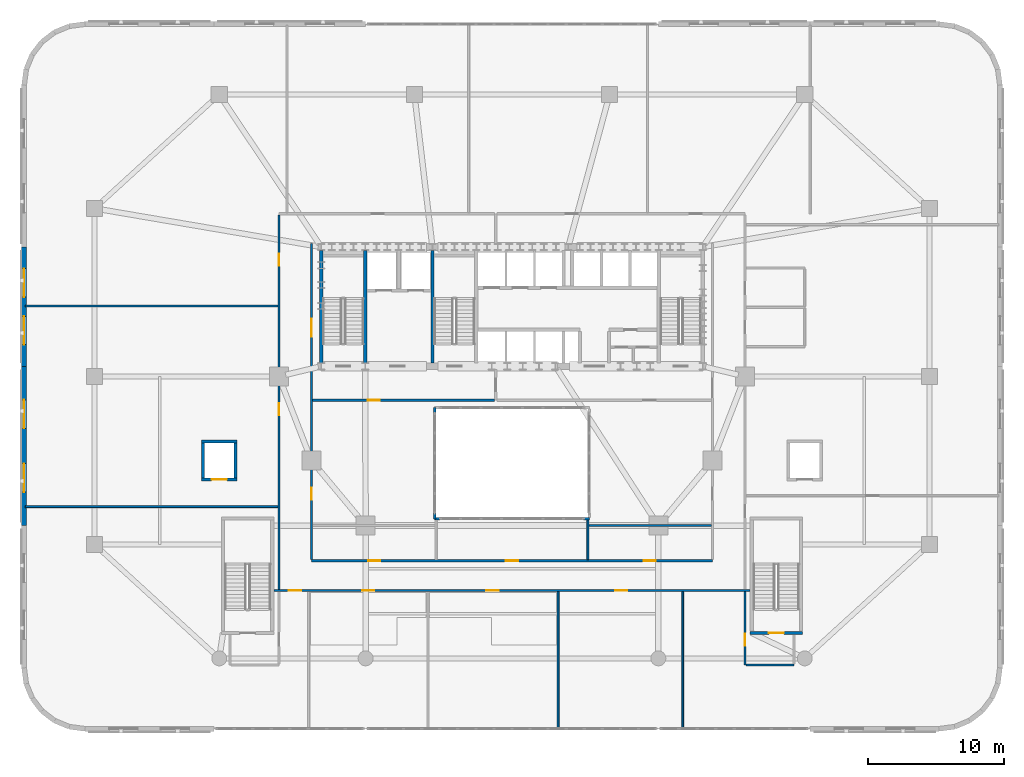
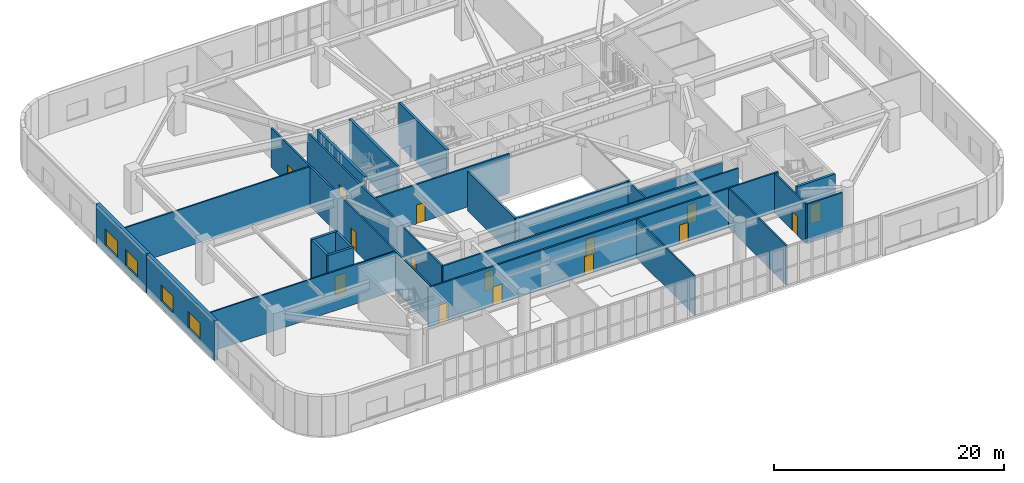
# One storey, part 14 of 25: 25 walls, 15 doors, 4 windows, 19 openings.
"""IFC4 building model written with IfcOpenShell, lengths in metres."""

import ifcopenshell
import ifcopenshell.guid

model = None  # the IFC model being written
_history = None  # IfcOwnerHistory: only IFC2X3 demands one
_inside = {}  # id of a spatial element -> (the spatial element, [elements in it])
_under = {}  # id of a project, library or spatial element -> (it, [spatial elements below it])
_declared = {}  # id of a project -> (the project, [libraries it declares])
_typed = {}  # id of a type object -> (the type object, [elements of that type])
_made_of = {}  # id of a material, layer set ... -> (it, [elements and type objects made of it])


def new_model(schema):
    """Start an empty IFC model of exactly this schema.

    Asked for "IFC4X3", IfcOpenShell would pick the latest addendum, in which some entities
    have other attributes; the version numbers below select the first issue.
    IFC2X3 requires an IfcOwnerHistory on every rooted entity: one is made here for all.
    """
    global model, _history
    if schema == "IFC4X3":
        model = ifcopenshell.file(schema_version=(4, 3, 0, 0))
    else:
        model = ifcopenshell.file(schema=schema)
    _inside.clear()
    _under.clear()
    _declared.clear()
    _typed.clear()
    _made_of.clear()
    _history = None
    if model.schema == "IFC2X3":
        org = make("IfcOrganization", Name="unknown")
        user = make(
            "IfcPersonAndOrganization",
            ThePerson=make("IfcPerson", FamilyName="unknown"),
            TheOrganization=org,
        )
        app = make(
            "IfcApplication",
            ApplicationDeveloper=org,
            Version="unknown",
            ApplicationFullName="unknown",
            ApplicationIdentifier="unknown",
        )
        _history = make(
            "IfcOwnerHistory",
            OwningUser=user,
            OwningApplication=app,
            ChangeAction="ADDED",
            CreationDate=0,
        )
    return model


def make(cls, **values):
    """One entity of the class cls with the attributes given. An attribute that is None is left unset."""
    return model.create_entity(
        cls, **{name: value for name, value in values.items() if value is not None}
    )


def rooted(cls, **values):
    """An entity with a GlobalId (a new one), such as an element, a storey or a relation."""
    return make(cls, GlobalId=ifcopenshell.guid.new(), OwnerHistory=_history, **values)


def si_unit(unit_type, name, prefix=None):
    """IfcSIUnit, for example si_unit("LENGTHUNIT", "METRE", prefix="MILLI")."""
    return make("IfcSIUnit", UnitType=unit_type, Prefix=prefix, Name=name)


def assignment(units):
    """IfcUnitAssignment: the units of a project."""
    return None if units is None else make("IfcUnitAssignment", Units=units)


def point(xyz):
    """IfcCartesianPoint."""
    return None if xyz is None else make("IfcCartesianPoint", Coordinates=xyz)


def direction(xyz):
    """IfcDirection."""
    return None if xyz is None else make("IfcDirection", DirectionRatios=xyz)


def frame(location, z_axis=None, x_axis=None):
    """IfcAxis2Placement3D, a coordinate frame: its origin and axes. An axis left out is left unset."""
    return make(
        "IfcAxis2Placement3D",
        Location=point(location),
        Axis=direction(z_axis),
        RefDirection=direction(x_axis),
    )


def frame_2d(location, x_axis=None):
    """IfcAxis2Placement2D, a coordinate frame in the plane: its origin and x axis."""
    return make(
        "IfcAxis2Placement2D", Location=point(location), RefDirection=direction(x_axis)
    )


def origin():
    """The frame at (0, 0, 0) with its axes left unset."""
    return frame((0.0, 0.0, 0.0))


def place(relative_to, where):
    """IfcLocalPlacement: puts the frame where relative to a parent placement (None: the world)."""
    return make(
        "IfcLocalPlacement", PlacementRelTo=relative_to, RelativePlacement=where
    )


def context(
    kind, dimensions, precision=None, world=None, true_north=None, identifier=None
):
    """IfcGeometricRepresentationContext, for example the 3D "Model" context."""
    return make(
        "IfcGeometricRepresentationContext",
        ContextIdentifier=identifier,
        ContextType=kind,
        CoordinateSpaceDimension=dimensions,
        Precision=precision,
        WorldCoordinateSystem=world,
        TrueNorth=true_north,
    )


def subcontext(parent, identifier, kind, view, scale=None):
    """IfcGeometricRepresentationSubContext, for example "Body" below "Model"."""
    return make(
        "IfcGeometricRepresentationSubContext",
        ContextIdentifier=identifier,
        ContextType=kind,
        ParentContext=parent,
        TargetScale=scale,
        TargetView=view,
    )


def project(units=None, contexts=None):
    """IfcProject with its units and contexts."""
    return rooted(
        "IfcProject",
        Name="project",
        RepresentationContexts=contexts,
        UnitsInContext=assignment(units),
    )


def spatial(cls, under=None, at=None, **own):
    """A site, building, storey or space (cls), placed at a placement, below another one or the project."""
    s = rooted(cls, ObjectPlacement=at, **own)
    if under is not None:
        _under.setdefault(under.id(), (under, []))[1].append(s)
    return s


def profile(cls, at=None, kind="AREA", **sizes):
    """A parametric profile (cls). Its sizes go by their IFC names, for example OverallWidth=200.0."""
    return make(cls, ProfileType=kind, Position=at, **sizes)


def rectangle(**sizes):
    """IfcRectangleProfileDef."""
    return profile("IfcRectangleProfileDef", **sizes)


def extrude(swept, where, along, depth):
    """IfcExtrudedAreaSolid: the profile swept, set in the frame where, extruded along a direction by depth."""
    return make(
        "IfcExtrudedAreaSolid",
        SweptArea=swept,
        Position=where,
        ExtrudedDirection=direction(along),
        Depth=depth,
    )


def shape(context_of_items, identifier, shape_type, items):
    """IfcShapeRepresentation: the items that make up one representation, for example the "Body"."""
    return make(
        "IfcShapeRepresentation",
        ContextOfItems=context_of_items,
        RepresentationIdentifier=identifier,
        RepresentationType=shape_type,
        Items=items,
    )


def material(Name=None, Category=None):
    """IfcMaterial."""
    return make("IfcMaterial", Name=Name, Category=Category)


def layer(
    of_material, thickness, ventilated=None, Name=None, Category=None, Priority=None
):
    """IfcMaterialLayer: one layer of a wall or slab, of a material (None: an air gap)."""
    return make(
        "IfcMaterialLayer",
        Material=of_material,
        LayerThickness=thickness,
        IsVentilated=ventilated,
        Name=Name,
        Category=Category,
        Priority=Priority,
    )


def layer_set(layers, Name=None):
    """IfcMaterialLayerSet."""
    return make("IfcMaterialLayerSet", MaterialLayers=layers, LayerSetName=Name)


def made_of(thing, what):
    """Note that an element or type object is made of a material, layer set ...; save() writes the relation."""
    if what is not None:
        _made_of.setdefault(what.id(), (what, []))[1].append(thing)
    return thing


def type_object(cls, material=None, **own):
    """A type object (cls), such as IfcWallType, which elements share."""
    return made_of(rooted(cls, **own), material)


def element(
    cls,
    number,
    at=None,
    inside=None,
    cuts=None,
    type_object=None,
    material=None,
    context=None,
    identifier="Body",
    shape_type=None,
    held_by="IfcProductDefinitionShape",
    body=None,
    shapes=None,
    **own,
):
    """One element of the class cls, such as IfcWall. Its Tag is "e" and its number.

    at: its placement. inside: the storey or other place that contains it. cuts: it is an
    opening in that element (IfcRelVoidsElement). A single representation is given by context,
    identifier, shape_type and body (its items); several are given by shapes. held_by: the class
    of the entity that holds the representations. save() writes the other relations.
    """
    e = rooted(cls, Tag="e%d" % number, ObjectPlacement=at, **own)
    if body is not None:
        shapes = [shape(context, identifier, shape_type, body)]
    if shapes is not None:
        e.Representation = make(held_by, Representations=shapes)
    if inside is not None:
        _inside.setdefault(inside.id(), (inside, []))[1].append(e)
    if cuts is not None:
        rooted(
            "IfcRelVoidsElement", RelatingBuildingElement=cuts, RelatedOpeningElement=e
        )
    if type_object is not None:
        _typed.setdefault(type_object.id(), (type_object, []))[1].append(e)
    return made_of(e, material)


def fill(opening, filler):
    """IfcRelFillsElement: the door or window that sits in an opening."""
    return rooted(
        "IfcRelFillsElement",
        RelatingOpeningElement=opening,
        RelatedBuildingElement=filler,
    )


def aggregate(whole, parts):
    """IfcRelAggregates: a whole, such as a stair, and the parts it consists of."""
    return rooted("IfcRelAggregates", RelatingObject=whole, RelatedObjects=parts)


def save(model, path):
    """Write the relations noted so far, then the file.

    IfcRelAggregates (storeys below a building ...), IfcRelContainedInSpatialStructure (elements
    in a storey), IfcRelDefinesByType, IfcRelAssociatesMaterial and IfcRelDeclares: one each for
    every whole, place, type object, material and project.
    """
    for whole, parts in _under.values():
        aggregate(whole, parts)
    for where, things in _inside.values():
        rooted(
            "IfcRelContainedInSpatialStructure",
            RelatedElements=things,
            RelatingStructure=where,
        )
    for kind, things in _typed.values():
        rooted("IfcRelDefinesByType", RelatedObjects=things, RelatingType=kind)
    for what, things in _made_of.values():
        rooted("IfcRelAssociatesMaterial", RelatedObjects=things, RelatingMaterial=what)
    for by, libraries in _declared.values():
        rooted("IfcRelDeclares", RelatingContext=by, RelatedDefinitions=libraries)
    model.write(path)


model = new_model("IFC4")

# Units and contexts
model_context = context("Model", 3, precision=1e-05, world=origin(), true_north=direction((0.0, 1.0)))
body_context = subcontext(model_context, "Body", "Model", "MODEL_VIEW")
ifc_project = project(units=[si_unit("LENGTHUNIT", "METRE"), si_unit("AREAUNIT", "SQUARE_METRE"), si_unit("VOLUMEUNIT", "CUBIC_METRE"), si_unit("PLANEANGLEUNIT", "RADIAN"), si_unit("MASSUNIT", "GRAM", prefix="KILO")], contexts=[model_context])

# Site, building, storey
site_placement = place(None, origin())
site = spatial("IfcSite", under=ifc_project, at=site_placement, CompositionType="ELEMENT")
building_placement = place(site_placement, origin())
building = spatial("IfcBuilding", under=site, at=building_placement, Name="Haldorwick Loom Tower", CompositionType="ELEMENT")
storey_placement = place(building_placement, frame((0.0, 0.0, 15.0)))
storey = spatial("IfcBuildingStorey", under=building, at=storey_placement, Name="L03", CompositionType="ELEMENT", Elevation=15.0)

# Wall, openings, windows
ifc_material_1 = material(Name="Pressed Clay Face Brick and Insulated Masonry Backup Assembly", Category="masonry")
ifc_layer_1 = layer(ifc_material_1, 0.360107421875, Name="Pressed Clay Face Brick and Insulated Masonry Backup Assembly", Category="masonry")
ifc_layer_set_1 = layer_set([ifc_layer_1], Name="Pressed Clay Face Brick and Insulated Masonry Backup Assembly")
wall_type_1 = type_object("IfcWallType", Name="ARC-WL-EXT360", PredefinedType="STANDARD", material=ifc_layer_set_1)
wall_1_placement = place(storey_placement, frame((0.0, 35.550048828125, 0.0), z_axis=(0.0, 0.0, 1.0), x_axis=(0.0, -1.0, 0.0)))
wall_1 = element("IfcWall", 1, at=wall_1_placement, inside=storey, type_object=wall_type_1, Name="L03 Brick Pier and Spandrel Wall 29", PredefinedType="STANDARD", context=body_context, shape_type="SweptSolid", body=[
    extrude(rectangle(XDim=8.800048828125, YDim=0.360107421875, at=frame_2d((4.39990234375, 0.0))), origin(), (0.0, 0.0, 1.0), 4.199951171875),
])
opening_1_placement = place(wall_1_placement, frame((1.590087890625, 0.0, 0.75)))
opening_1 = element("IfcOpeningElement", 2, at=opening_1_placement, cuts=wall_1, Name="Opening W-04", PredefinedType="OPENING", context=body_context, shape_type="SweptSolid", body=[
    extrude(rectangle(XDim=2.10009765625, YDim=1.719970703125, at=frame_2d((1.050048828125, 0.85986328125))), frame((0.0, 0.18994140625, 0.0), z_axis=(0.0, -1.0, 0.0), x_axis=(1.0, 0.0, 0.0)), (0.0, 0.0, 1.0), 0.380126953125),
])
opening_2_placement = place(wall_1_placement, frame((5.110107421875, 0.0, 0.75)))
opening_2 = element("IfcOpeningElement", 3, at=opening_2_placement, cuts=wall_1, Name="Opening W-04", PredefinedType="OPENING", context=body_context, shape_type="SweptSolid", body=[
    extrude(rectangle(XDim=2.10009765625, YDim=1.719970703125, at=frame_2d((1.050048828125, 0.85986328125))), frame((0.0, 0.18994140625, 0.0), z_axis=(0.0, -1.0, 0.0), x_axis=(1.0, 0.0, 0.0)), (0.0, 0.0, 1.0), 0.380126953125),
])
ifc_material_2 = material(Name="Triple-Glazed Low-E Argon Insulated Glazing Unit", Category="glass")
window_type = type_object("IfcWindowType", Name="ARC-WIN-W210", PartitioningType="SINGLE_PANEL", PredefinedType="WINDOW", material=ifc_material_2)
window_1_placement = place(opening_1_placement, origin())
window_1 = element("IfcWindow", 4, at=window_1_placement, inside=storey, type_object=window_type, Name="L03 Deep-Set Zone 7A Window 29", OverallHeight=1.719970703125, OverallWidth=2.10009765625, PartitioningType="SINGLE_PANEL", PredefinedType="WINDOW", context=body_context, shape_type="SweptSolid", body=[
    extrude(rectangle(XDim=2.10009765625, YDim=1.719970703125, at=frame_2d((1.050048828125, 0.85986328125))), frame((0.0, 0.030029296875, 0.0), z_axis=(0.0, -1.0, 0.0), x_axis=(1.0, 0.0, 0.0)), (0.0, 0.0, 1.0), 0.06005859375),
])
fill(opening_1, window_1)
window_2_placement = place(opening_2_placement, origin())
window_2 = element("IfcWindow", 5, at=window_2_placement, inside=storey, type_object=window_type, Name="L03 Deep-Set Zone 7A Window 29", OverallHeight=1.719970703125, OverallWidth=2.10009765625, PartitioningType="SINGLE_PANEL", PredefinedType="WINDOW", context=body_context, shape_type="SweptSolid", body=[
    extrude(rectangle(XDim=2.10009765625, YDim=1.719970703125, at=frame_2d((1.050048828125, 0.85986328125))), frame((0.0, 0.030029296875, 0.0), z_axis=(0.0, -1.0, 0.0), x_axis=(1.0, 0.0, 0.0)), (0.0, 0.0, 1.0), 0.06005859375),
])
fill(opening_2, window_2)

wall_2_placement = place(storey_placement, frame((0.0, 26.75, 0.0), z_axis=(0.0, 0.0, 1.0), x_axis=(0.0, -1.0, 0.0)))
wall_2 = element("IfcWall", 6, at=wall_2_placement, inside=storey, type_object=wall_type_1, Name="L03 Brick Pier and Spandrel Wall 30", PredefinedType="STANDARD", context=body_context, shape_type="SweptSolid", body=[
    extrude(rectangle(XDim=11.75, YDim=0.360107421875, at=frame_2d((5.875, 0.0))), origin(), (0.0, 0.0, 1.0), 4.199951171875),
])
opening_3_placement = place(wall_2_placement, frame((2.47509765625, 0.0, 0.75)))
opening_3 = element("IfcOpeningElement", 7, at=opening_3_placement, cuts=wall_2, Name="Opening W-04", PredefinedType="OPENING", context=body_context, shape_type="SweptSolid", body=[
    extrude(rectangle(XDim=2.10009765625, YDim=1.719970703125, at=frame_2d((1.050048828125, 0.85986328125))), frame((0.0, 0.18994140625, 0.0), z_axis=(0.0, -1.0, 0.0), x_axis=(1.0, 0.0, 0.0)), (0.0, 0.0, 1.0), 0.380126953125),
])
opening_4_placement = place(wall_2_placement, frame((7.175048828125, 0.0, 0.75)))
opening_4 = element("IfcOpeningElement", 8, at=opening_4_placement, cuts=wall_2, Name="Opening W-04", PredefinedType="OPENING", context=body_context, shape_type="SweptSolid", body=[
    extrude(rectangle(XDim=2.10009765625, YDim=1.719970703125, at=frame_2d((1.050048828125, 0.85986328125))), frame((0.0, 0.18994140625, 0.0), z_axis=(0.0, -1.0, 0.0), x_axis=(1.0, 0.0, 0.0)), (0.0, 0.0, 1.0), 0.380126953125),
])
window_3_placement = place(opening_3_placement, origin())
window_3 = element("IfcWindow", 9, at=window_3_placement, inside=storey, type_object=window_type, Name="L03 Deep-Set Zone 7A Window 30", OverallHeight=1.719970703125, OverallWidth=2.10009765625, PartitioningType="SINGLE_PANEL", PredefinedType="WINDOW", context=body_context, shape_type="SweptSolid", body=[
    extrude(rectangle(XDim=2.10009765625, YDim=1.719970703125, at=frame_2d((1.050048828125, 0.85986328125))), frame((0.0, 0.030029296875, 0.0), z_axis=(0.0, -1.0, 0.0), x_axis=(1.0, 0.0, 0.0)), (0.0, 0.0, 1.0), 0.06005859375),
])
fill(opening_3, window_3)
window_4_placement = place(opening_4_placement, origin())
window_4 = element("IfcWindow", 10, at=window_4_placement, inside=storey, type_object=window_type, Name="L03 Deep-Set Zone 7A Window 30", OverallHeight=1.719970703125, OverallWidth=2.10009765625, PartitioningType="SINGLE_PANEL", PredefinedType="WINDOW", context=body_context, shape_type="SweptSolid", body=[
    extrude(rectangle(XDim=2.10009765625, YDim=1.719970703125, at=frame_2d((1.050048828125, 0.85986328125))), frame((0.0, 0.030029296875, 0.0), z_axis=(0.0, -1.0, 0.0), x_axis=(1.0, 0.0, 0.0)), (0.0, 0.0, 1.0), 0.06005859375),
])
fill(opening_4, window_4)

# Wall, openings, doors
ifc_material_3 = material(Name="Fire-Rated Type X Gypsum Stud Assembly EI 60")
ifc_layer_2 = layer(ifc_material_3, 0.159912109375, Name="Fire-Rated Type X Gypsum Stud Assembly EI 60")
ifc_layer_set_2 = layer_set([ifc_layer_2], Name="Fire-Rated Type X Gypsum Stud Assembly EI 60")
wall_type_2 = type_object("IfcWallType", Name="ARC-WL-FIRE160", PredefinedType="PARTITIONING", material=ifc_layer_set_2)
wall_3_placement = place(storey_placement, frame((18.443115234375, 10.199951171875, 0.0), z_axis=(0.0, 0.0, 1.0), x_axis=(1.0, 0.0, 0.0)))
wall_3 = element("IfcWall", 11, at=wall_3_placement, inside=storey, type_object=wall_type_2, Name="L03 Podium Partition L03-CS0", PredefinedType="PARTITIONING", context=body_context, shape_type="SweptSolid", body=[
    extrude(rectangle(XDim=35.11376953125, YDim=0.159912109375, at=frame_2d((17.556884765625, 0.0))), origin(), (0.0, 0.0, 1.0), 4.18505859375),
])
opening_5_placement = place(wall_3_placement, frame((15.67138671875, 0.0, 0.0)))
opening_5 = element("IfcOpeningElement", 12, at=opening_5_placement, cuts=wall_3, Name="Opening D-FD60A", PredefinedType="OPENING", context=body_context, shape_type="SweptSolid", body=[
    extrude(rectangle(XDim=0.89990234375, YDim=2.0, at=frame_2d((0.449951171875, 1.0))), frame((0.0, 0.08984375, 0.0), z_axis=(0.0, -1.0, 0.0), x_axis=(1.0, 0.0, 0.0)), (0.0, 0.0, 1.0), 0.179931640625),
])
opening_6_placement = place(wall_3_placement, frame((25.167724609375, 0.0, 0.0)))
opening_6 = element("IfcOpeningElement", 13, at=opening_6_placement, cuts=wall_3, Name="Opening D-FD60A", PredefinedType="OPENING", context=body_context, shape_type="SweptSolid", body=[
    extrude(rectangle(XDim=0.89990234375, YDim=2.0, at=frame_2d((0.449951171875, 1.0))), frame((0.0, 0.08984375, 0.0), z_axis=(0.0, -1.0, 0.0), x_axis=(1.0, 0.0, 0.0)), (0.0, 0.0, 1.0), 0.179931640625),
])
opening_7_placement = place(wall_3_placement, frame((6.506591796875, 0.0, 0.0)))
opening_7 = element("IfcOpeningElement", 14, at=opening_7_placement, cuts=wall_3, Name="Opening D-FD60A", PredefinedType="OPENING", context=body_context, shape_type="SweptSolid", body=[
    extrude(rectangle(XDim=0.89990234375, YDim=2.0, at=frame_2d((0.449951171875, 1.0))), frame((0.0, 0.08984375, 0.0), z_axis=(0.0, -1.0, 0.0), x_axis=(1.0, 0.0, 0.0)), (0.0, 0.0, 1.0), 0.179931640625),
])
opening_8_placement = place(wall_3_placement, frame((1.095947265625, 0.0, 0.0)))
opening_8 = element("IfcOpeningElement", 15, at=opening_8_placement, cuts=wall_3, Name="Opening D-FD60A", PredefinedType="OPENING", context=body_context, shape_type="SweptSolid", body=[
    extrude(rectangle(XDim=0.89990234375, YDim=2.0, at=frame_2d((0.449951171875, 1.0))), frame((0.0, 0.08984375, 0.0), z_axis=(0.0, -1.0, 0.0), x_axis=(1.0, 0.0, 0.0)), (0.0, 0.0, 1.0), 0.179931640625),
])
ifc_material_4 = material(Name="Hollow Steel Fire Door Assembly", Category="steel")
door_type_1 = type_object("IfcDoorType", Name="ARC-DR-FD60-90", OperationType="NOTDEFINED", PredefinedType="DOOR", material=ifc_material_4)
door_1_placement = place(opening_5_placement, origin())
door_1 = element("IfcDoor", 16, at=door_1_placement, inside=storey, type_object=door_type_1, Name="L03 L03 South Clinic Corridor to Physiotherapy Rehabilitation Hall 2 Doo", OperationType="SINGLE_SWING_LEFT", OverallHeight=2.0, OverallWidth=0.89990234375, PredefinedType="DOOR", context=body_context, shape_type="SweptSolid", body=[
    extrude(rectangle(XDim=0.89990234375, YDim=2.0, at=frame_2d((0.449951171875, 1.0))), frame((0.0, 0.02490234375, 0.0), z_axis=(0.0, -1.0, 0.0), x_axis=(1.0, 0.0, 0.0)), (0.0, 0.0, 1.0), 0.050048828125),
])
fill(opening_5, door_1)
door_2_placement = place(opening_6_placement, origin())
door_2 = element("IfcDoor", 17, at=door_2_placement, inside=storey, type_object=door_type_1, Name="L03 L03 South Clinic Corridor to Maternal Health Office 3 Door", OperationType="SINGLE_SWING_RIGHT", OverallHeight=2.0, OverallWidth=0.89990234375, PredefinedType="DOOR", context=body_context, shape_type="SweptSolid", body=[
    extrude(rectangle(XDim=0.89990234375, YDim=2.0, at=frame_2d((0.449951171875, 1.0))), frame((0.0, 0.02490234375, 0.0), z_axis=(0.0, -1.0, 0.0), x_axis=(1.0, 0.0, 0.0)), (0.0, 0.0, 1.0), 0.050048828125),
])
fill(opening_6, door_2)
door_3_placement = place(opening_7_placement, origin())
door_3 = element("IfcDoor", 18, at=door_3_placement, inside=storey, type_object=door_type_1, Name="L03 L03 South Clinic Corridor to Dental Treatment Suite 1 Door", OperationType="SINGLE_SWING_LEFT", OverallHeight=2.0, OverallWidth=0.89990234375, PredefinedType="DOOR", context=body_context, shape_type="SweptSolid", body=[
    extrude(rectangle(XDim=0.89990234375, YDim=2.0, at=frame_2d((0.449951171875, 1.0))), frame((0.0, 0.02490234375, 0.0), z_axis=(0.0, -1.0, 0.0), x_axis=(1.0, 0.0, 0.0)), (0.0, 0.0, 1.0), 0.050048828125),
])
fill(opening_7, door_3)
door_4_placement = place(opening_8_placement, origin())
door_4 = element("IfcDoor", 19, at=door_4_placement, inside=storey, type_object=door_type_1, Name="L03 L03 South Clinic Corridor to Outpatient Waiting Hall 6 Door", OperationType="SINGLE_SWING_LEFT", OverallHeight=2.0, OverallWidth=0.89990234375, PredefinedType="DOOR", context=body_context, shape_type="SweptSolid", body=[
    extrude(rectangle(XDim=0.89990234375, YDim=2.0, at=frame_2d((0.449951171875, 1.0))), frame((0.0, 0.02490234375, 0.0), z_axis=(0.0, -1.0, 0.0), x_axis=(1.0, 0.0, 0.0)), (0.0, 0.0, 1.0), 0.050048828125),
])
fill(opening_8, door_4)

wall_4_placement = place(storey_placement, frame((21.199951171875, 12.39990234375, 0.0), z_axis=(0.0, 0.0, 1.0), x_axis=(1.0, 0.0, 0.0)))
wall_4 = element("IfcWall", 20, at=wall_4_placement, inside=storey, type_object=wall_type_2, Name="L03 Podium Partition L03-CS1", PredefinedType="PARTITIONING", context=body_context, shape_type="SweptSolid", body=[
    extrude(rectangle(XDim=29.60009765625, YDim=0.159912109375, at=frame_2d((14.800048828125, 0.0))), origin(), (0.0, 0.0, 1.0), 4.18505859375),
])
opening_9_placement = place(wall_4_placement, frame((14.35009765625, 0.0, 0.0)))
opening_9 = element("IfcOpeningElement", 21, at=opening_9_placement, cuts=wall_4, Name="Opening D-FD60A", PredefinedType="OPENING", context=body_context, shape_type="SweptSolid", body=[
    extrude(rectangle(XDim=0.89990234375, YDim=2.0, at=frame_2d((0.449951171875, 1.0))), frame((0.0, 0.08984375, 0.0), z_axis=(0.0, -1.0, 0.0), x_axis=(1.0, 0.0, 0.0)), (0.0, 0.0, 1.0), 0.179931640625),
])
opening_10_placement = place(wall_4_placement, frame((24.51123046875, 0.0, 0.0)))
opening_10 = element("IfcOpeningElement", 22, at=opening_10_placement, cuts=wall_4, Name="Opening D-FD60A", PredefinedType="OPENING", context=body_context, shape_type="SweptSolid", body=[
    extrude(rectangle(XDim=0.89990234375, YDim=2.0, at=frame_2d((0.449951171875, 1.0))), frame((0.0, 0.08984375, 0.0), z_axis=(0.0, -1.0, 0.0), x_axis=(1.0, 0.0, 0.0)), (0.0, 0.0, 1.0), 0.179931640625),
])
opening_11_placement = place(wall_4_placement, frame((4.188720703125, 0.0, 0.0)))
opening_11 = element("IfcOpeningElement", 23, at=opening_11_placement, cuts=wall_4, Name="Opening D-FD60A", PredefinedType="OPENING", context=body_context, shape_type="SweptSolid", body=[
    extrude(rectangle(XDim=0.89990234375, YDim=2.0, at=frame_2d((0.449951171875, 1.0))), frame((0.0, 0.08984375, 0.0), z_axis=(0.0, -1.0, 0.0), x_axis=(1.0, 0.0, 0.0)), (0.0, 0.0, 1.0), 0.179931640625),
])
door_5_placement = place(opening_9_placement, origin())
door_5 = element("IfcDoor", 24, at=door_5_placement, inside=storey, type_object=door_type_1, Name="L03 Staff Seminar Room 10 to L03 South Clinic Corridor Door", OperationType="SINGLE_SWING_LEFT", OverallHeight=2.0, OverallWidth=0.89990234375, PredefinedType="DOOR", context=body_context, shape_type="SweptSolid", body=[
    extrude(rectangle(XDim=0.89990234375, YDim=2.0, at=frame_2d((0.449951171875, 1.0))), frame((0.0, 0.02490234375, 0.0), z_axis=(0.0, -1.0, 0.0), x_axis=(1.0, 0.0, 0.0)), (0.0, 0.0, 1.0), 0.050048828125),
])
fill(opening_9, door_5)
door_6_placement = place(opening_10_placement, origin())
door_6 = element("IfcDoor", 25, at=door_6_placement, inside=storey, type_object=door_type_1, Name="L03 Sterilization Store 9 to L03 South Clinic Corridor Door", OperationType="SINGLE_SWING_RIGHT", OverallHeight=2.0, OverallWidth=0.89990234375, PredefinedType="DOOR", context=body_context, shape_type="SweptSolid", body=[
    extrude(rectangle(XDim=0.89990234375, YDim=2.0, at=frame_2d((0.449951171875, 1.0))), frame((0.0, 0.02490234375, 0.0), z_axis=(0.0, -1.0, 0.0), x_axis=(1.0, 0.0, 0.0)), (0.0, 0.0, 1.0), 0.050048828125),
])
fill(opening_10, door_6)
door_7_placement = place(opening_11_placement, origin())
door_7 = element("IfcDoor", 26, at=door_7_placement, inside=storey, type_object=door_type_1, Name="L03 Maternal Health Office 8 to L03 South Clinic Corridor Door", OperationType="SINGLE_SWING_LEFT", OverallHeight=2.0, OverallWidth=0.89990234375, PredefinedType="DOOR", context=body_context, shape_type="SweptSolid", body=[
    extrude(rectangle(XDim=0.89990234375, YDim=2.0, at=frame_2d((0.449951171875, 1.0))), frame((0.0, 0.02490234375, 0.0), z_axis=(0.0, -1.0, 0.0), x_axis=(1.0, 0.0, 0.0)), (0.0, 0.0, 1.0), 0.050048828125),
])
fill(opening_11, door_7)

# Wall, opening, door
wall_5_placement = place(storey_placement, frame((53.199951171875, 4.699951171875, 0.0), z_axis=(0.0, 0.0, 1.0), x_axis=(0.0, 1.0, 0.0)))
wall_5 = element("IfcWall", 27, at=wall_5_placement, inside=storey, type_object=wall_type_2, Name="L03 Podium Partition L03-SP2W", PredefinedType="PARTITIONING", context=body_context, shape_type="SweptSolid", body=[
    extrude(rectangle(XDim=5.4169921875, YDim=0.159912109375, at=frame_2d((2.70849609375, 0.0))), origin(), (0.0, 0.0, 1.0), 4.18505859375),
])
opening_12_placement = place(wall_5_placement, frame((1.419189453125, 0.0, 0.0)))
opening_12 = element("IfcOpeningElement", 28, at=opening_12_placement, cuts=wall_5, Name="Opening D-FD60A", PredefinedType="OPENING", context=body_context, shape_type="SweptSolid", body=[
    extrude(rectangle(XDim=0.89990234375, YDim=2.0, at=frame_2d((0.449951171875, 1.0))), frame((0.0, 0.08984375, 0.0), z_axis=(0.0, -1.0, 0.0), x_axis=(1.0, 0.0, 0.0)), (0.0, 0.0, 1.0), 0.179931640625),
])
door_8_placement = place(opening_12_placement, origin())
door_8 = element("IfcDoor", 29, at=door_8_placement, inside=storey, type_object=door_type_1, Name="L03 Physiotherapy Rehabilitation Hall 7 to L03 East Stair Vestibule Door", OperationType="SINGLE_SWING_LEFT", OverallHeight=2.0, OverallWidth=0.89990234375, PredefinedType="DOOR", context=body_context, shape_type="SweptSolid", body=[
    extrude(rectangle(XDim=0.89990234375, YDim=2.0, at=frame_2d((0.449951171875, 1.0))), frame((0.0, 0.02490234375, 0.0), z_axis=(0.0, -1.0, 0.0), x_axis=(1.0, 0.0, 0.0)), (0.0, 0.0, 1.0), 0.050048828125),
])
fill(opening_12, door_8)

# Wall
wall_6_placement = place(storey_placement, frame((53.282958984375, 4.699951171875, 0.0), z_axis=(0.0, 0.0, 1.0), x_axis=(1.0, 0.0, 0.0)))
element("IfcWall", 30, at=wall_6_placement, inside=storey, type_object=wall_type_2, Name="L03 Podium Partition L03-SP2S", PredefinedType="PARTITIONING", context=body_context, shape_type="SweptSolid", body=[
    extrude(rectangle(XDim=3.51708984375, YDim=0.159912109375, at=frame_2d((1.758544921875, 0.0))), origin(), (0.0, 0.0, 1.0), 4.18505859375),
])

# Wall, openings, doors
wall_7_placement = place(storey_placement, frame((18.800048828125, 10.282958984375, 0.0), z_axis=(0.0, 0.0, 1.0), x_axis=(0.0, 1.0, 0.0)))
wall_7 = element("IfcWall", 31, at=wall_7_placement, inside=storey, type_object=wall_type_2, Name="L03 Podium Partition L03-CW0", PredefinedType="PARTITIONING", context=body_context, shape_type="SweptSolid", body=[
    extrude(rectangle(XDim=27.634033203125, YDim=0.159912109375, at=frame_2d((13.81689453125, 0.0))), origin(), (0.0, 0.0, 1.0), 4.18505859375),
])
opening_13_placement = place(wall_7_placement, frame((12.84521484375, 0.0, 0.0)))
opening_13 = element("IfcOpeningElement", 32, at=opening_13_placement, cuts=wall_7, Name="Opening D-FD60A", PredefinedType="OPENING", context=body_context, shape_type="SweptSolid", body=[
    extrude(rectangle(XDim=0.89990234375, YDim=2.0, at=frame_2d((0.449951171875, 1.0))), frame((0.0, 0.08984375, 0.0), z_axis=(0.0, -1.0, 0.0), x_axis=(1.0, 0.0, 0.0)), (0.0, 0.0, 1.0), 0.179931640625),
])
opening_14_placement = place(wall_7_placement, frame((23.867919921875, 0.0, 0.0)))
opening_14 = element("IfcOpeningElement", 33, at=opening_14_placement, cuts=wall_7, Name="Opening D-FD60A", PredefinedType="OPENING", context=body_context, shape_type="SweptSolid", body=[
    extrude(rectangle(XDim=0.89990234375, YDim=2.0, at=frame_2d((0.449951171875, 1.0))), frame((0.0, 0.08984375, 0.0), z_axis=(0.0, -1.0, 0.0), x_axis=(1.0, 0.0, 0.0)), (0.0, 0.0, 1.0), 0.179931640625),
])
door_9_placement = place(opening_13_placement, frame((0.89990234375, 0.0, 0.0), z_axis=(0.0, 0.0, 1.0), x_axis=(-1.0, 0.0, 0.0)))
door_9 = element("IfcDoor", 34, at=door_9_placement, inside=storey, type_object=door_type_1, Name="L03 Maternal Health Office 13 to L03 South Clinic Corridor Door", OperationType="SINGLE_SWING_LEFT", OverallHeight=2.0, OverallWidth=0.89990234375, PredefinedType="DOOR", context=body_context, shape_type="SweptSolid", body=[
    extrude(rectangle(XDim=0.89990234375, YDim=2.0, at=frame_2d((0.449951171875, 1.0))), frame((0.0, 0.02490234375, 0.0), z_axis=(0.0, -1.0, 0.0), x_axis=(1.0, 0.0, 0.0)), (0.0, 0.0, 1.0), 0.050048828125),
])
fill(opening_13, door_9)
door_10_placement = place(opening_14_placement, frame((0.89990234375, 0.0, 0.0), z_axis=(0.0, 0.0, 1.0), x_axis=(-1.0, 0.0, 0.0)))
door_10 = element("IfcDoor", 35, at=door_10_placement, inside=storey, type_object=door_type_1, Name="L03 Staff Seminar Room 20 to L03 South Clinic Corridor Door", OperationType="SINGLE_SWING_RIGHT", OverallHeight=2.0, OverallWidth=0.89990234375, PredefinedType="DOOR", context=body_context, shape_type="SweptSolid", body=[
    extrude(rectangle(XDim=0.89990234375, YDim=2.0, at=frame_2d((0.449951171875, 1.0))), frame((0.0, 0.02490234375, 0.0), z_axis=(0.0, -1.0, 0.0), x_axis=(1.0, 0.0, 0.0)), (0.0, 0.0, 1.0), 0.050048828125),
])
fill(opening_14, door_10)

wall_8_placement = place(storey_placement, frame((21.199951171875, 12.48291015625, 0.0), z_axis=(0.0, 0.0, 1.0), x_axis=(0.0, 1.0, 0.0)))
wall_8 = element("IfcWall", 36, at=wall_8_placement, inside=storey, type_object=wall_type_2, Name="L03 Podium Partition L03-CW1", PredefinedType="PARTITIONING", context=body_context, shape_type="SweptSolid", body=[
    extrude(rectangle(XDim=23.317138671875, YDim=0.159912109375, at=frame_2d((11.65869140625, 0.0))), origin(), (0.0, 0.0, 1.0), 4.18505859375),
])
opening_15_placement = place(wall_8_placement, frame((16.43603515625, 0.0, 0.0)))
opening_15 = element("IfcOpeningElement", 37, at=opening_15_placement, cuts=wall_8, Name="Opening D-CR15", PredefinedType="OPENING", context=body_context, shape_type="SweptSolid", body=[
    extrude(rectangle(XDim=1.35009765625, YDim=2.0, at=frame_2d((0.675048828125, 1.0))), frame((0.0, 0.08984375, 0.0), z_axis=(0.0, -1.0, 0.0), x_axis=(1.0, 0.0, 0.0)), (0.0, 0.0, 1.0), 0.179931640625),
])
opening_16_placement = place(wall_8_placement, frame((4.405517578125, 0.0, 0.0)))
opening_16 = element("IfcOpeningElement", 38, at=opening_16_placement, cuts=wall_8, Name="Opening D-FD60A", PredefinedType="OPENING", context=body_context, shape_type="SweptSolid", body=[
    extrude(rectangle(XDim=0.89990234375, YDim=2.0, at=frame_2d((0.449951171875, 1.0))), frame((0.0, 0.08984375, 0.0), z_axis=(0.0, -1.0, 0.0), x_axis=(1.0, 0.0, 0.0)), (0.0, 0.0, 1.0), 0.179931640625),
])
ifc_material_5 = material(Name="Thermally Broken Anodized Aluminium and Tempered Glass", Category="aluminium")
door_type_2 = type_object("IfcDoorType", Name="ARC-DR-COR150", OperationType="NOTDEFINED", PredefinedType="DOOR", material=ifc_material_5)
door_11_placement = place(opening_15_placement, origin())
door_11 = element("IfcDoor", 39, at=door_11_placement, inside=storey, type_object=door_type_2, Name="L03 L03 South Clinic Corridor to L03 West Core Corridor Door", OperationType="DOUBLE_DOOR_SINGLE_SWING", OverallHeight=2.0, OverallWidth=1.35009765625, PredefinedType="DOOR", context=body_context, shape_type="SweptSolid", body=[
    extrude(rectangle(XDim=1.35009765625, YDim=2.0, at=frame_2d((0.675048828125, 1.0))), frame((0.0, 0.02490234375, 0.0), z_axis=(0.0, -1.0, 0.0), x_axis=(1.0, 0.0, 0.0)), (0.0, 0.0, 1.0), 0.050048828125),
])
fill(opening_15, door_11)
door_12_placement = place(opening_16_placement, frame((0.89990234375, 0.0, 0.0), z_axis=(0.0, 0.0, 1.0), x_axis=(-1.0, 0.0, 0.0)))
door_12 = element("IfcDoor", 40, at=door_12_placement, inside=storey, type_object=door_type_1, Name="L03 L03 South Clinic Corridor to Dental Treatment Suite 11 Door", OperationType="SINGLE_SWING_RIGHT", OverallHeight=2.0, OverallWidth=0.89990234375, PredefinedType="DOOR", context=body_context, shape_type="SweptSolid", body=[
    extrude(rectangle(XDim=0.89990234375, YDim=2.0, at=frame_2d((0.449951171875, 1.0))), frame((0.0, 0.02490234375, 0.0), z_axis=(0.0, -1.0, 0.0), x_axis=(1.0, 0.0, 0.0)), (0.0, 0.0, 1.0), 0.050048828125),
])
fill(opening_16, door_12)

# Wall, opening, door
wall_9_placement = place(storey_placement, frame((21.282958984375, 24.25, 0.0), z_axis=(0.0, 0.0, 1.0), x_axis=(1.0, 0.0, 0.0)))
wall_9 = element("IfcWall", 41, at=wall_9_placement, inside=storey, type_object=wall_type_2, Name="L03 Podium Partition L03-CMN", PredefinedType="PARTITIONING", context=body_context, shape_type="SweptSolid", body=[
    extrude(rectangle(XDim=13.43408203125, YDim=0.159912109375, at=frame_2d((6.717041015625, 0.0))), origin(), (0.0, 0.0, 1.0), 4.18505859375),
])
opening_17_placement = place(wall_9_placement, frame((4.064697265625, 0.0, 0.0)))
opening_17 = element("IfcOpeningElement", 42, at=opening_17_placement, cuts=wall_9, Name="Opening D-FD60A", PredefinedType="OPENING", context=body_context, shape_type="SweptSolid", body=[
    extrude(rectangle(XDim=0.89990234375, YDim=2.0, at=frame_2d((0.449951171875, 1.0))), frame((0.0, 0.08984375, 0.0), z_axis=(0.0, -1.0, 0.0), x_axis=(1.0, 0.0, 0.0)), (0.0, 0.0, 1.0), 0.179931640625),
])
door_13_placement = place(opening_17_placement, origin())
door_13 = element("IfcDoor", 43, at=door_13_placement, inside=storey, type_object=door_type_1, Name="L03 L03 West Core Corridor to Dental Treatment Suite 11 Door", OperationType="SINGLE_SWING_RIGHT", OverallHeight=2.0, OverallWidth=0.89990234375, PredefinedType="DOOR", context=body_context, shape_type="SweptSolid", body=[
    extrude(rectangle(XDim=0.89990234375, YDim=2.0, at=frame_2d((0.449951171875, 1.0))), frame((0.0, 0.02490234375, 0.0), z_axis=(0.0, -1.0, 0.0), x_axis=(1.0, 0.0, 0.0)), (0.0, 0.0, 1.0), 0.050048828125),
])
fill(opening_17, door_13)

# Walls
wall_10_placement = place(storey_placement, frame((41.673095703125, 15.0, 0.0), z_axis=(0.0, 0.0, 1.0), x_axis=(1.0, 0.0, 0.0)))
element("IfcWall", 44, at=wall_10_placement, inside=storey, type_object=wall_type_2, Name="L03 Podium Partition L03-PTE", PredefinedType="PARTITIONING", context=body_context, shape_type="SweptSolid", body=[
    extrude(rectangle(XDim=9.0439453125, YDim=0.159912109375, at=frame_2d((4.52197265625, 0.0))), origin(), (0.0, 0.0, 1.0), 3.262939453125),
])
ifc_material_6 = material(Name="Fire-Rated Type X Gypsum Stud Assembly EI 120")
ifc_layer_3 = layer(ifc_material_6, 0.199951171875, Name="Fire-Rated Type X Gypsum Stud Assembly EI 120")
ifc_layer_set_3 = layer_set([ifc_layer_3], Name="Fire-Rated Type X Gypsum Stud Assembly EI 120")
wall_type_3 = type_object("IfcWallType", Name="ARC-WL-FIRE200", PredefinedType="PARTITIONING", material=ifc_layer_set_3)
wall_11_placement = place(storey_placement, frame((41.699951171875, 15.5, 0.0), z_axis=(0.0, 0.0, 1.0), x_axis=(-1.0, 0.0, 0.0)))
element("IfcWall", 45, at=wall_11_placement, inside=storey, type_object=wall_type_3, Name="L03 Podium Atrium Wall", PredefinedType="PARTITIONING", context=body_context, shape_type="SweptSolid", body=[
    extrude(rectangle(XDim=11.39990234375, YDim=0.199951171875, at=frame_2d((5.699951171875, 0.0))), origin(), (0.0, 0.0, 1.0), 4.18505859375),
])
wall_12_placement = place(storey_placement, frame((30.300048828125, 15.5, 0.0), z_axis=(0.0, 0.0, 1.0), x_axis=(0.0, 1.0, 0.0)))
element("IfcWall", 46, at=wall_12_placement, inside=storey, type_object=wall_type_3, Name="L03 Podium Atrium Wall", PredefinedType="PARTITIONING", context=body_context, shape_type="SweptSolid", body=[
    extrude(rectangle(XDim=8.199951171875, YDim=0.199951171875, at=frame_2d((4.10009765625, 0.0))), origin(), (0.0, 0.0, 1.0), 4.18505859375),
])
ifc_layer_4 = layer(ifc_material_3, 0.139892578125, Name="Fire-Rated Type X Gypsum Stud Assembly EI 60")
ifc_layer_set_4 = layer_set([ifc_layer_4], Name="Fire-Rated Type X Gypsum Stud Assembly EI 60")
wall_type_4 = type_object("IfcWallType", Name="ARC-WL-PART140", PredefinedType="PARTITIONING", material=ifc_layer_set_4)
wall_13_placement = place(storey_placement, frame((41.60009765625, 12.48291015625, 0.0), z_axis=(0.0, 0.0, 1.0), x_axis=(0.0, 1.0, 0.0)))
element("IfcWall", 47, at=wall_13_placement, inside=storey, type_object=wall_type_4, Name="L03 Podium Partition L03-ATE1", PredefinedType="PARTITIONING", context=body_context, shape_type="SweptSolid", body=[
    extrude(rectangle(XDim=2.9140625, YDim=0.139892578125, at=frame_2d((1.45703125, 0.0))), origin(), (0.0, 0.0, 1.0), 4.18505859375),
])
for number, where, z_axis, x_axis, name in (
    (48, (39.39990234375, 0.10009765625, 0.0), (0.0, 0.0, 1.0), (0.0, 1.0, 0.0), "L03 Podium Partition L03-PS-2"),
    (49, (48.60009765625, 0.10009765625, 0.0), (0.0, 0.0, 1.0), (0.0, 1.0, 0.0), "L03 Podium Partition L03-PS-3"),
):
    element("IfcWall", number, at=place(storey_placement, frame(where, z_axis=z_axis, x_axis=x_axis)), inside=storey, type_object=wall_type_4, Name=name, PredefinedType="PARTITIONING", context=body_context, shape_type="SweptSolid", body=[
        extrude(rectangle(XDim=10.016845703125, YDim=0.139892578125, at=frame_2d((5.00830078125, 0.0))), origin(), (0.0, 0.0, 1.0), 4.18505859375),
    ])
for number, where, z_axis, x_axis, name in (
    (50, (0.10009765625, 16.39990234375, 0.0), (0.0, 0.0, 1.0), (1.0, 0.0, 0.0), "L03 Podium Partition L03-PW-0"),
    (51, (0.10009765625, 31.199951171875, 0.0), (0.0, 0.0, 1.0), (1.0, 0.0, 0.0), "L03 Podium Partition L03-PW-1"),
):
    element("IfcWall", number, at=place(storey_placement, frame(where, z_axis=z_axis, x_axis=x_axis)), inside=storey, type_object=wall_type_4, Name=name, PredefinedType="PARTITIONING", context=body_context, shape_type="SweptSolid", body=[
        extrude(rectangle(XDim=18.616943359375, YDim=0.139892578125, at=frame_2d((9.30859375, 0.0))), origin(), (0.0, 0.0, 1.0), 4.18505859375),
    ])
ifc_material_7 = material(Name="Concrete C50 (50 MPa)", Category="concrete")
ifc_layer_5 = layer(ifc_material_7, 0.239990234375, Name="Concrete C50 (50 MPa)", Category="concrete")
ifc_layer_set_5 = layer_set([ifc_layer_5], Name="Concrete C50 (50 MPa)")
wall_type_5 = type_object("IfcWallType", Name="STR-WL-SHAFT240", PredefinedType="SHEAR", material=ifc_layer_set_5)
for number, where, z_axis, x_axis, name in (
    (52, (21.929931640625, 35.297119140625, 0.0), (0.0, 0.0, 1.0), (0.0, -1.0, 0.0), "L03 Core Shear Wall W"),
    (53, (25.169921875, 27.0029296875, 0.0), (0.0, 0.0, 1.0), (0.0, 1.0, 0.0), "L03 Core Shear Wall 1"),
    (54, (30.1298828125, 27.0029296875, 0.0), (0.0, 0.0, 1.0), (0.0, 1.0, 0.0), "L03 Core Shear Wall 2"),
):
    element("IfcWall", number, at=place(storey_placement, frame(where, z_axis=z_axis, x_axis=x_axis)), inside=storey, type_object=wall_type_5, Name=name, PredefinedType="SHEAR", context=body_context, shape_type="SweptSolid", body=[
        extrude(rectangle(XDim=8.294189453125, YDim=0.239990234375, at=frame_2d((4.14697265625, 0.0))), origin(), (0.0, 0.0, 1.0), 4.5),
    ])

# Wall, opening, door
wall_14_placement = place(storey_placement, frame((53.56005859375, 7.080078125, 0.0), z_axis=(0.0, 0.0, 1.0), x_axis=(1.0, 0.0, 0.0)))
wall_14 = element("IfcWall", 55, at=wall_14_placement, inside=storey, type_object=wall_type_5, Name="L03 Exit Stairwell ST-P2 Wall", PredefinedType="SHEAR", context=body_context, shape_type="SweptSolid", body=[
    extrude(rectangle(XDim=3.8798828125, YDim=0.239990234375, at=frame_2d((1.93994140625, 0.0))), origin(), (0.0, 0.0, 1.0), 4.5),
])
opening_18_placement = place(wall_14_placement, frame((1.389892578125, 0.0, 0.0)))
opening_18 = element("IfcOpeningElement", 56, at=opening_18_placement, cuts=wall_14, Name="Opening D-FD90", PredefinedType="OPENING", context=body_context, shape_type="SweptSolid", body=[
    extrude(rectangle(XDim=1.10009765625, YDim=2.0, at=frame_2d((0.550048828125, 1.0))), frame((0.0, 0.1298828125, 0.0), z_axis=(0.0, -1.0, 0.0), x_axis=(1.0, 0.0, 0.0)), (0.0, 0.0, 1.0), 0.260009765625),
])
door_type_3 = type_object("IfcDoorType", Name="ARC-DR-FD90", OperationType="NOTDEFINED", PredefinedType="DOOR", material=ifc_material_4)
door_14_placement = place(opening_18_placement, origin())
door_14 = element("IfcDoor", 57, at=door_14_placement, inside=storey, type_object=door_type_3, Name="L03 Exit Stairwell ST-P2 Exit Door", OperationType="SINGLE_SWING_RIGHT", OverallHeight=2.0, OverallWidth=1.10009765625, PredefinedType="DOOR", context=body_context, shape_type="SweptSolid", body=[
    extrude(rectangle(XDim=1.10009765625, YDim=2.0, at=frame_2d((0.550048828125, 1.0))), frame((0.0, 0.02490234375, 0.0), z_axis=(0.0, -1.0, 0.0), x_axis=(1.0, 0.0, 0.0)), (0.0, 0.0, 1.0), 0.050048828125),
])
fill(opening_18, door_14)

wall_15_placement = place(storey_placement, frame((13.080078125, 18.39990234375, 0.0), z_axis=(0.0, 0.0, 1.0), x_axis=(1.0, 0.0, 0.0)))
wall_15 = element("IfcWall", 58, at=wall_15_placement, inside=storey, type_object=wall_type_5, Name="L03 Podium Lift Shaft LF-P1 Wall", PredefinedType="SHEAR", context=body_context, shape_type="SweptSolid", body=[
    extrude(rectangle(XDim=2.639892578125, YDim=0.239990234375, at=frame_2d((1.31982421875, 0.0))), origin(), (0.0, 0.0, 1.0), 4.5),
])
opening_19_placement = place(wall_15_placement, frame((0.760009765625, 0.0, 0.0)))
opening_19 = element("IfcOpeningElement", 59, at=opening_19_placement, cuts=wall_15, Name="Opening LD-P1", PredefinedType="OPENING", context=body_context, shape_type="SweptSolid", body=[
    extrude(rectangle(XDim=1.1201171875, YDim=2.0, at=frame_2d((0.56005859375, 1.0))), frame((0.0, 0.1298828125, 0.0), z_axis=(0.0, -1.0, 0.0), x_axis=(1.0, 0.0, 0.0)), (0.0, 0.0, 1.0), 0.260009765625),
])
door_type_4 = type_object("IfcDoorType", Name="ARC-DR-LD-PAX", OperationType="NOTDEFINED", PredefinedType="USERDEFINED", material=ifc_material_4)
door_15_placement = place(opening_19_placement, origin())
door_15 = element("IfcDoor", 60, at=door_15_placement, inside=storey, type_object=door_type_4, Name="L03 Lift LF-P1 Sliding Landing Door", ObjectType="LANDING DOOR", OperationType="DOUBLE_DOOR_SLIDING", OverallHeight=2.0, OverallWidth=1.1201171875, PredefinedType="USERDEFINED", context=body_context, shape_type="SweptSolid", body=[
    extrude(rectangle(XDim=1.1201171875, YDim=2.0, at=frame_2d((0.56005859375, 1.0))), frame((0.0, 0.02490234375, 0.0), z_axis=(0.0, -1.0, 0.0), x_axis=(1.0, 0.0, 0.0)), (0.0, 0.0, 1.0), 0.050048828125),
])
fill(opening_19, door_15)

# Walls
wall_16_placement = place(storey_placement, frame((15.719970703125, 21.199951171875, 0.0), z_axis=(0.0, 0.0, 1.0), x_axis=(-1.0, 0.0, 0.0)))
element("IfcWall", 61, at=wall_16_placement, inside=storey, type_object=wall_type_5, Name="L03 Podium Lift Shaft LF-P1 Wall", PredefinedType="SHEAR", context=body_context, shape_type="SweptSolid", body=[
    extrude(rectangle(XDim=2.639892578125, YDim=0.239990234375, at=frame_2d((1.31982421875, 0.0))), origin(), (0.0, 0.0, 1.0), 4.5),
])
for number, where, z_axis, x_axis, name in (
    (62, (13.199951171875, 18.52294921875, 0.0), (0.0, 0.0, 1.0), (0.0, 1.0, 0.0), "L03 Podium Lift Shaft LF-P1 Wall"),
    (63, (15.60009765625, 18.52294921875, 0.0), (0.0, 0.0, 1.0), (0.0, 1.0, 0.0), "L03 Podium Lift Shaft LF-P1 Wall"),
):
    element("IfcWall", number, at=place(storey_placement, frame(where, z_axis=z_axis, x_axis=x_axis)), inside=storey, type_object=wall_type_5, Name=name, PredefinedType="SHEAR", context=body_context, shape_type="SweptSolid", body=[
        extrude(rectangle(XDim=2.553955078125, YDim=0.239990234375, at=frame_2d((1.27685546875, 0.0))), origin(), (0.0, 0.0, 1.0), 4.5),
    ])

save(model, "model.ifc")
